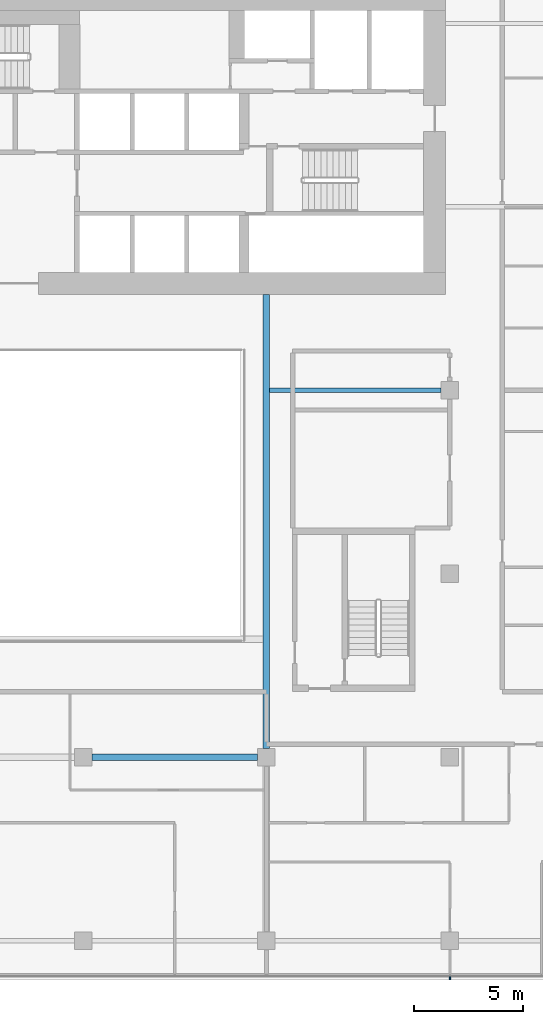
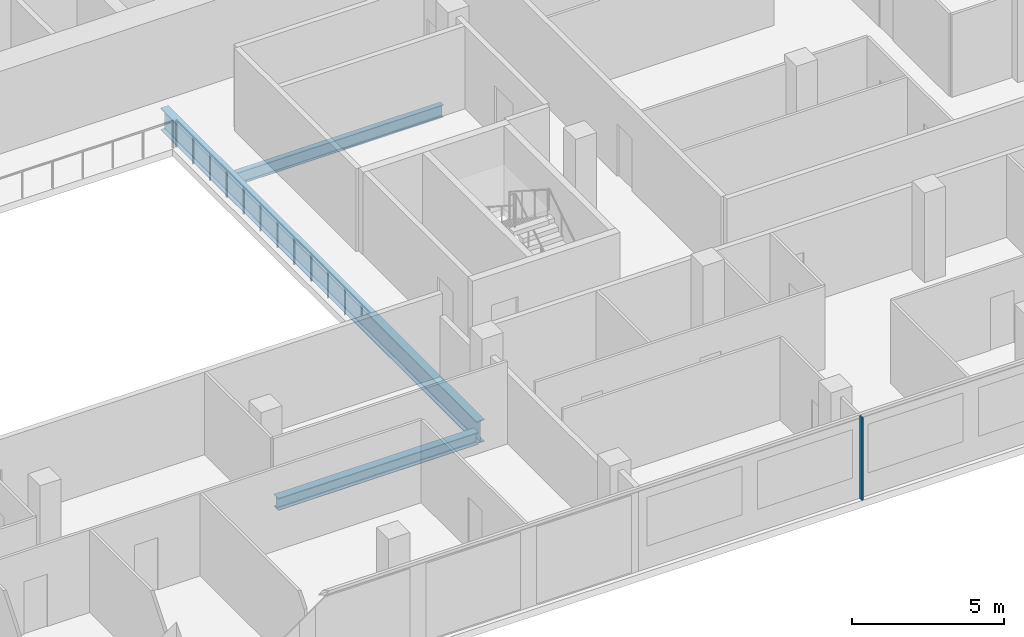
# One storey, part 6 of 25: 3 beams, 1 member, 1 element without a shape of its own.
"""IFC4 building model written with IfcOpenShell, lengths in metres."""

from ifc_helpers import new_model, si_unit, direction, frame, origin, origin_2d, place, context, subcontext, project, spatial, rectangle, i_section, extrude, material, material_profile, profile_set, type_object, element, aggregate, save


model = new_model("IFC4")

# Units and contexts
model_context = context("Model", 3, precision=1e-05, world=origin(), true_north=direction((0.0, 1.0)))
body_context = subcontext(model_context, "Body", "Model", "MODEL_VIEW")
ifc_project = project(units=[si_unit("LENGTHUNIT", "METRE"), si_unit("AREAUNIT", "SQUARE_METRE"), si_unit("VOLUMEUNIT", "CUBIC_METRE"), si_unit("PLANEANGLEUNIT", "RADIAN"), si_unit("MASSUNIT", "GRAM", prefix="KILO")], contexts=[model_context])

# Site, building, storey
site_placement = place(None, origin())
site = spatial("IfcSite", under=ifc_project, at=site_placement, CompositionType="ELEMENT")
building_placement = place(site_placement, origin())
building = spatial("IfcBuilding", under=site, at=building_placement, Name="Saffron Gate Tower", CompositionType="ELEMENT")
storey_placement = place(building_placement, frame((0.0, 0.0, 131.25)))
storey = spatial("IfcBuildingStorey", under=building, at=storey_placement, Name="L31", CompositionType="ELEMENT", Elevation=131.25)

# Beams
ifc_material_1 = material(Name="Structural steel S355", Category="steel")
ifc_material_profile_1 = material_profile(ifc_material_1, i_section(OverallWidth=0.199951171875, OverallDepth=0.5, WebThickness=0.01025390625, FlangeThickness=0.01611328125, FilletRadius=0.02099609375, at=origin_2d()))
ifc_profile_set_1 = profile_set([ifc_material_profile_1], Name="Structural steel S355")
beam_type_1 = type_object("IfcBeamType", Name="B10 IPE 500", PredefinedType="BEAM", material=ifc_profile_set_1)
beam_1_placement = place(storey_placement, frame((108.199951171875, 57.0, -0.530029296875), z_axis=(-1.0, 0.0, 0.0), x_axis=(0.0, -1.0, 0.0)))
element("IfcBeam", 1, at=beam_1_placement, inside=storey, type_object=beam_type_1, Name="B10 CORE TIE BEAM", PredefinedType="BEAM", context=body_context, shape_type="SweptSolid", body=[
    extrude(i_section(OverallWidth=0.199951171875, OverallDepth=0.5, WebThickness=0.01025390625, FlangeThickness=0.01611328125, FilletRadius=0.02099609375, at=origin_2d()), origin(), (0.0, 0.0, 1.0), 7.849853515625),
])
ifc_material_profile_2 = material_profile(ifc_material_1, i_section(OverallWidth=0.300048828125, OverallDepth=0.889892578125, WebThickness=0.01611328125, FlangeThickness=0.030029296875, FilletRadius=0.030029296875, at=origin_2d()))
ifc_profile_set_2 = profile_set([ifc_material_profile_2], Name="Structural steel S355")
beam_type_2 = type_object("IfcBeamType", Name="B19 HEA 900", PredefinedType="BEAM", material=ifc_profile_set_2)
beam_2_placement = place(storey_placement, frame((100.199951171875, 40.60009765625, -0.72509765625), z_axis=(0.0, 1.0, 0.0), x_axis=(-1.0, 0.0, 0.0)))
element("IfcBeam", 2, at=beam_2_placement, inside=storey, type_object=beam_type_2, Name="B19 ATRIUM GIRDER", PredefinedType="BEAM", context=body_context, shape_type="SweptSolid", body=[
    extrude(i_section(OverallWidth=0.300048828125, OverallDepth=0.889892578125, WebThickness=0.01611328125, FlangeThickness=0.030029296875, FilletRadius=0.030029296875, at=origin_2d()), origin(), (0.0, 0.0, 1.0), 20.7998046875),
])
ifc_material_profile_3 = material_profile(ifc_material_1, i_section(OverallWidth=0.300048828125, OverallDepth=0.489990234375, WebThickness=0.011962890625, FlangeThickness=0.02294921875, FilletRadius=0.027099609375, at=origin_2d()))
ifc_profile_set_3 = profile_set([ifc_material_profile_3], Name="Structural steel S355")
beam_type_3 = type_object("IfcBeamType", Name="B8 HEA 500", PredefinedType="BEAM", material=ifc_profile_set_3)
beam_3_placement = place(storey_placement, frame((92.199951171875, 40.199951171875, -0.52490234375), z_axis=(1.0, 0.0, 0.0), x_axis=(0.0, 1.0, 0.0)))
element("IfcBeam", 3, at=beam_3_placement, inside=storey, type_object=beam_type_3, Name="B8 FLOOR GIRDER", PredefinedType="BEAM", context=body_context, shape_type="SweptSolid", body=[
    extrude(i_section(OverallWidth=0.300048828125, OverallDepth=0.489990234375, WebThickness=0.011962890625, FlangeThickness=0.02294921875, FilletRadius=0.027099609375, at=origin_2d()), origin(), (0.0, 0.0, 1.0), 7.60009765625),
])

# Curtain wall, member
ifc_material_2 = material(Name="Aluminium, bronze anodised", Category="aluminium")
curtain_wall_type = type_object("IfcCurtainWallType", Name="CWS1 curtain wall front facade", PredefinedType="NOTDEFINED", material=ifc_material_2)
curtain_wall_placement = place(storey_placement, origin())
curtain_wall = element("IfcCurtainWall", 4, at=curtain_wall_placement, inside=storey, type_object=curtain_wall_type, Name="CWS1 run 1", PredefinedType="NOTDEFINED")
ifc_material_profile_4 = material_profile(ifc_material_2, rectangle(XDim=0.159912109375, YDim=0.06005859375, at=origin_2d()))
ifc_profile_set_4 = profile_set([ifc_material_profile_4], Name="Aluminium, bronze anodised")
member_type = type_object("IfcMemberType", Name="CWS1 mullion 60x160", PredefinedType="MULLION", material=ifc_profile_set_4)
member_placement = place(storey_placement, frame((108.60009765625, 30.080078125, 0.0), z_axis=(0.0, 0.0, 1.0), x_axis=(0.0, 1.0, 0.0)))
member = element("IfcMember", 5, at=member_placement, type_object=member_type, Name="CWS1 mullion 8", PredefinedType="MULLION", context=body_context, shape_type="SweptSolid", body=[
    extrude(rectangle(XDim=0.159912109375, YDim=0.06005859375, at=origin_2d()), origin(), (0.0, 0.0, 1.0), 3.320068359375),
])
aggregate(curtain_wall, [member])

save(model, "model.ifc")
